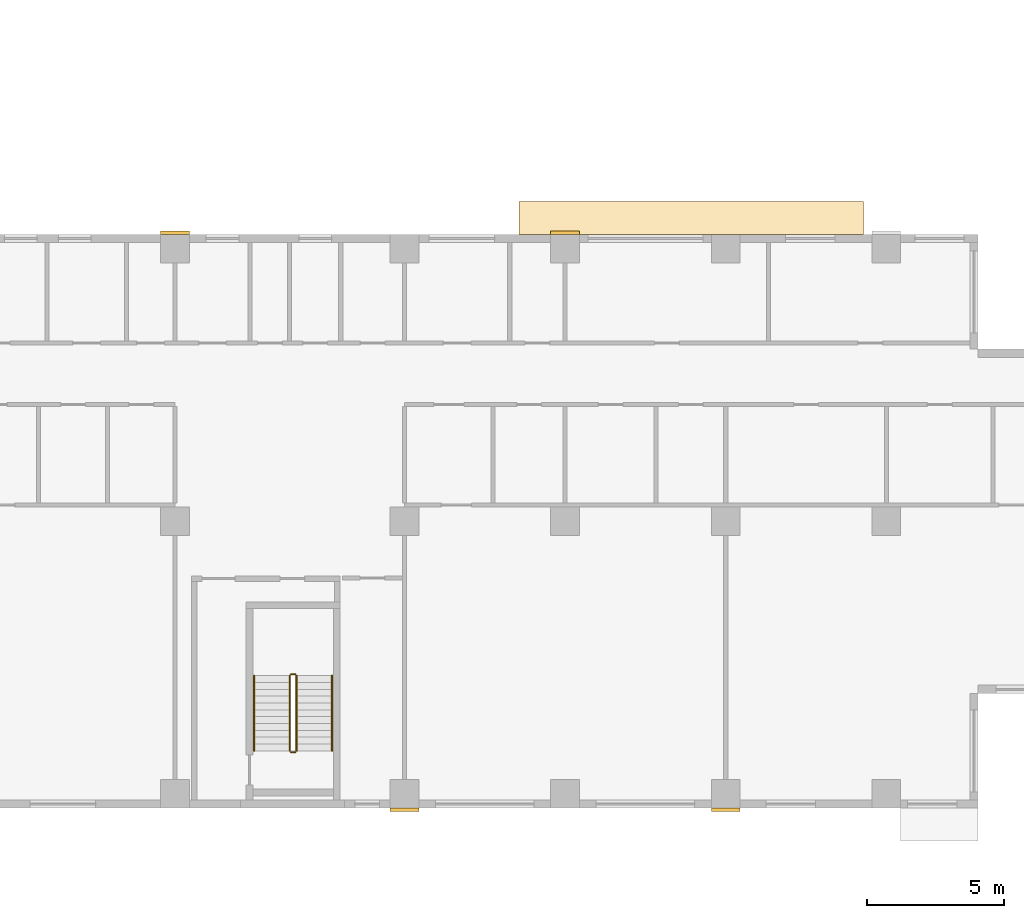
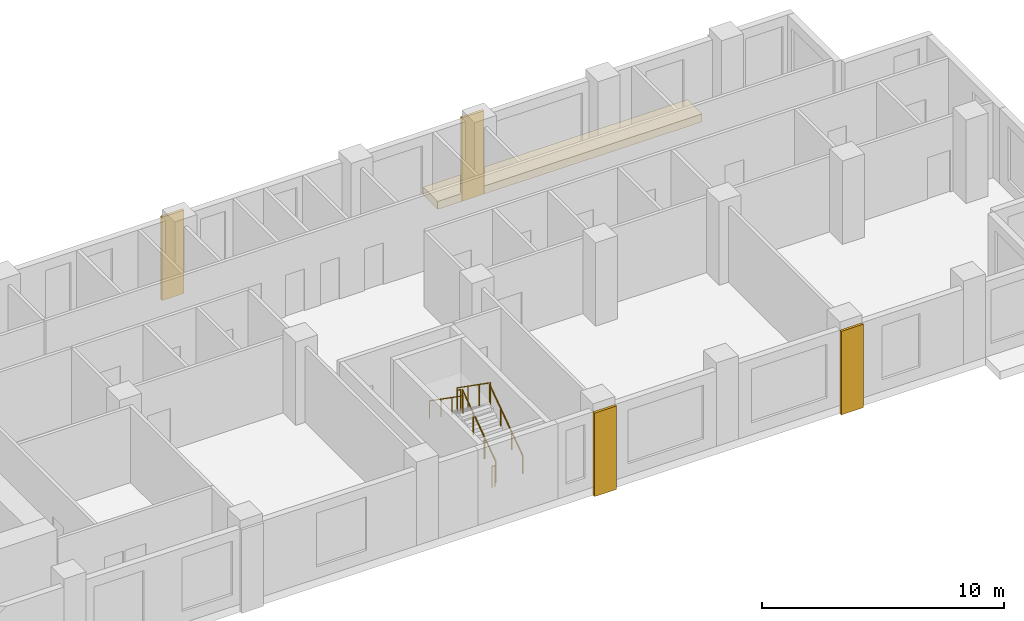
# One storey, part 11 of 13: 6 railings, 5 coverings.
"""IFC4 building model written with IfcOpenShell, lengths in metres."""

from ifc_helpers import new_model, si_unit, direction, frame, origin, origin_2d, place, context, subcontext, project, spatial, polyline, rectangle, circle, outline, extrude, source, transform, mapped, material, type_object, element, save


model = new_model("IFC4")

# Units and contexts
model_context = context("Model", 3, precision=1e-05, world=origin(), true_north=direction((0.0, 1.0)))
body_context = subcontext(model_context, "Body", "Model", "MODEL_VIEW")
ifc_project = project(units=[si_unit("LENGTHUNIT", "METRE"), si_unit("AREAUNIT", "SQUARE_METRE"), si_unit("VOLUMEUNIT", "CUBIC_METRE"), si_unit("PLANEANGLEUNIT", "RADIAN"), si_unit("MASSUNIT", "GRAM", prefix="KILO")], contexts=[model_context])

# Site, building, storey
site_placement = place(None, origin())
site = spatial("IfcSite", under=ifc_project, at=site_placement, CompositionType="ELEMENT")
building_placement = place(site_placement, origin())
building = spatial("IfcBuilding", under=site, at=building_placement, Name="Aurelian Terraces", CompositionType="ELEMENT")
storey_placement = place(building_placement, frame((0.0, 0.0, 158.1)))
storey = spatial("IfcBuildingStorey", under=building, at=storey_placement, Name="L35", CompositionType="ELEMENT", Elevation=158.1)

# Coverings
ifc_material_1 = material(Name="Terracotta roof tiles on membrane", Category="masonry")
covering_type_1 = type_object("IfcCoveringType", Name="Bay roof cover", PredefinedType="ROOFING", material=ifc_material_1)
covering_placement = place(storey_placement, frame((0.0, 0.0, -0.4)))
element("IfcCovering", 1, at=covering_placement, inside=storey, type_object=covering_type_1, Name="Bay roof L35 50.40_21.00_63.00_22.20", PredefinedType="ROOFING", context=body_context, shape_type="SweptSolid", body=[
    extrude(outline(polyline([(63.0, 21.0), (50.4, 21.0), (50.4, 22.2), (63.0, 22.2), (63.0, 21.0)])), origin(), (0.0, 0.0, 1.0), 0.4),
])
ifc_material_2 = material(Name="Terracotta rainscreen cladding relief", Category="masonry")
covering_type_2 = type_object("IfcCoveringType", Name="BAGUETTE-TC", PredefinedType="CLADDING", material=ifc_material_2)
shared_shape_1 = source(origin(), body_context, "Body", "SweptSolid", [
    extrude(rectangle(XDim=1.05, YDim=0.12, at=origin_2d()), origin(), (0.0, 0.0, 1.0), 4.2),
])
for number, where, z_axis, x_axis, name in (
    (2, (46.2, -0.06, -0.4), (0.0, 0.0, 1.0), (1.0, 0.0, 0.0), "BAGUETTE pier L35 3"),
    (3, (57.96, -0.06, -0.4), (0.0, 0.0, 1.0), (1.0, 0.0, 0.0), "BAGUETTE pier L35 4"),
    (4, (37.8, 21.06, -0.4), (0.0, 0.0, 1.0), (1.0, 0.0, 0.0), "BAGUETTE pier L35 7"),
    (5, (52.08, 21.06, -0.4), (0.0, 0.0, 1.0), (1.0, 0.0, 0.0), "BAGUETTE pier L35 8"),
):
    element("IfcCovering", number, at=place(storey_placement, frame(where, z_axis=z_axis, x_axis=x_axis)), inside=storey, type_object=covering_type_2, Name=name, PredefinedType="CLADDING", context=body_context, shape_type="MappedRepresentation", body=[
        mapped(shared_shape_1, transform((0.0, 0.0, 0.0), scale=1.0)),
    ])

# Railings
ifc_material_3 = material(Name="Stainless steel", Category="steel")
railing_type_1 = type_object("IfcRailingType", Name="Stair guard 1100", PredefinedType="GUARDRAIL", material=ifc_material_3)
shared_shape_2 = source(origin(), body_context, "Body", "SweptSolid", [
    extrude(circle(Radius=0.024, at=origin_2d()), frame((0.0, 0.0, 1.076), z_axis=(-1.0, 0.0, 0.0), x_axis=(0.0, -1.0, 0.0)), (0.0, 0.0, 1.0), 0.15),
    extrude(circle(Radius=0.021, at=origin_2d()), origin(), (0.0, 0.0, 1.0), 1.052),
    extrude(circle(Radius=0.021, at=origin_2d()), frame((-0.15, 0.0, 0.0)), (0.0, 0.0, 1.0), 1.052),
])
for number, where, name in (
    (6, (42.2, 4.9, 2.1), "L35 S2 stair guard 2"),
    (7, (42.2, 2.05, 0.0), "L35 S2 stair guard 4"),
):
    element("IfcRailing", number, at=place(storey_placement, frame(where)), inside=storey, type_object=railing_type_1, Name=name, PredefinedType="GUARDRAIL", context=body_context, shape_type="MappedRepresentation", body=[
        mapped(shared_shape_2, transform((0.0, 0.0, 0.0), scale=1.0)),
    ])
shared_shape_3 = source(origin(), body_context, "Body", "SweptSolid", [
    extrude(circle(Radius=0.024, at=origin_2d()), frame((0.0, 0.0, 1.076), z_axis=(0.0, 0.819231920519, 0.573462344363), x_axis=(-1.0, 0.0, 0.0)), (0.0, 0.0, 1.0), 3.3568),
    extrude(circle(Radius=0.021, at=origin_2d()), origin(), (0.0, 0.0, 1.0), 1.052),
    extrude(circle(Radius=0.021, at=origin_2d()), frame((0.0, 0.9167, 0.6417)), (0.0, 0.0, 1.0), 1.052),
    extrude(circle(Radius=0.021, at=origin_2d()), frame((0.0, 1.8333, 1.2833)), (0.0, 0.0, 1.0), 1.052),
    extrude(circle(Radius=0.021, at=origin_2d()), frame((0.0, 2.75, 1.925)), (0.0, 0.0, 1.0), 1.052),
])
railing_1_placement = place(storey_placement, frame((42.25, 2.1, 0.175)))
element("IfcRailing", 8, at=railing_1_placement, inside=storey, type_object=railing_type_1, Name="L35 S2 stair guard 1", PredefinedType="GUARDRAIL", context=body_context, shape_type="MappedRepresentation", body=[
    mapped(shared_shape_3, transform((0.0, 0.0, 0.0), scale=1.0)),
])
shared_shape_4 = source(origin(), body_context, "Body", "SweptSolid", [
    extrude(circle(Radius=0.024, at=origin_2d()), frame((0.0, 0.0, 1.076), z_axis=(0.0, -0.819231920519, 0.573462344363), x_axis=(1.0, 0.0, 0.0)), (0.0, 0.0, 1.0), 3.3568),
    extrude(circle(Radius=0.021, at=origin_2d()), origin(), (0.0, 0.0, 1.0), 1.052),
    extrude(circle(Radius=0.021, at=origin_2d()), frame((0.0, -0.9167, 0.6417)), (0.0, 0.0, 1.0), 1.052),
    extrude(circle(Radius=0.021, at=origin_2d()), frame((0.0, -1.8333, 1.2833)), (0.0, 0.0, 1.0), 1.052),
    extrude(circle(Radius=0.021, at=origin_2d()), frame((0.0, -2.75, 1.925)), (0.0, 0.0, 1.0), 1.052),
])
railing_2_placement = place(storey_placement, frame((42.0, 4.85, 2.275)))
element("IfcRailing", 9, at=railing_2_placement, inside=storey, type_object=railing_type_1, Name="L35 S2 stair guard 3", PredefinedType="GUARDRAIL", context=body_context, shape_type="MappedRepresentation", body=[
    mapped(shared_shape_4, transform((0.0, 0.0, 0.0), scale=1.0)),
])
railing_type_2 = type_object("IfcRailingType", Name="Stair handrail", PredefinedType="HANDRAIL", material=ifc_material_3)
shared_shape_5 = source(origin(), body_context, "Body", "SweptSolid", [
    extrude(circle(Radius=0.024, at=origin_2d()), frame((0.0, 0.0, 0.876), z_axis=(0.0, 0.819231920519, 0.573462344363), x_axis=(-1.0, 0.0, 0.0)), (0.0, 0.0, 1.0), 3.3568),
    extrude(circle(Radius=0.021, at=origin_2d()), origin(), (0.0, 0.0, 1.0), 0.852),
    extrude(circle(Radius=0.021, at=origin_2d()), frame((0.0, 0.9167, 0.6417)), (0.0, 0.0, 1.0), 0.852),
    extrude(circle(Radius=0.021, at=origin_2d()), frame((0.0, 1.8333, 1.2833)), (0.0, 0.0, 1.0), 0.852),
    extrude(circle(Radius=0.021, at=origin_2d()), frame((0.0, 2.75, 1.925)), (0.0, 0.0, 1.0), 0.852),
])
railing_3_placement = place(storey_placement, frame((43.55, 2.1, 0.175)))
element("IfcRailing", 10, at=railing_3_placement, inside=storey, type_object=railing_type_2, Name="L35 S2 stair handrail 1", PredefinedType="HANDRAIL", context=body_context, shape_type="MappedRepresentation", body=[
    mapped(shared_shape_5, transform((0.0, 0.0, 0.0), scale=1.0)),
])
shared_shape_6 = source(origin(), body_context, "Body", "SweptSolid", [
    extrude(circle(Radius=0.024, at=origin_2d()), frame((0.0, 0.0, 0.876), z_axis=(0.0, -0.819231920519, 0.573462344363), x_axis=(1.0, 0.0, 0.0)), (0.0, 0.0, 1.0), 3.3568),
    extrude(circle(Radius=0.021, at=origin_2d()), origin(), (0.0, 0.0, 1.0), 0.852),
    extrude(circle(Radius=0.021, at=origin_2d()), frame((0.0, -0.9167, 0.6417)), (0.0, 0.0, 1.0), 0.852),
    extrude(circle(Radius=0.021, at=origin_2d()), frame((0.0, -1.8333, 1.2833)), (0.0, 0.0, 1.0), 0.852),
    extrude(circle(Radius=0.021, at=origin_2d()), frame((0.0, -2.75, 1.925)), (0.0, 0.0, 1.0), 0.852),
])
railing_4_placement = place(storey_placement, frame((40.7, 4.85, 2.275)))
element("IfcRailing", 11, at=railing_4_placement, inside=storey, type_object=railing_type_2, Name="L35 S2 stair handrail 2", PredefinedType="HANDRAIL", context=body_context, shape_type="MappedRepresentation", body=[
    mapped(shared_shape_6, transform((0.0, 0.0, 0.0), scale=1.0)),
])

save(model, "model.ifc")
